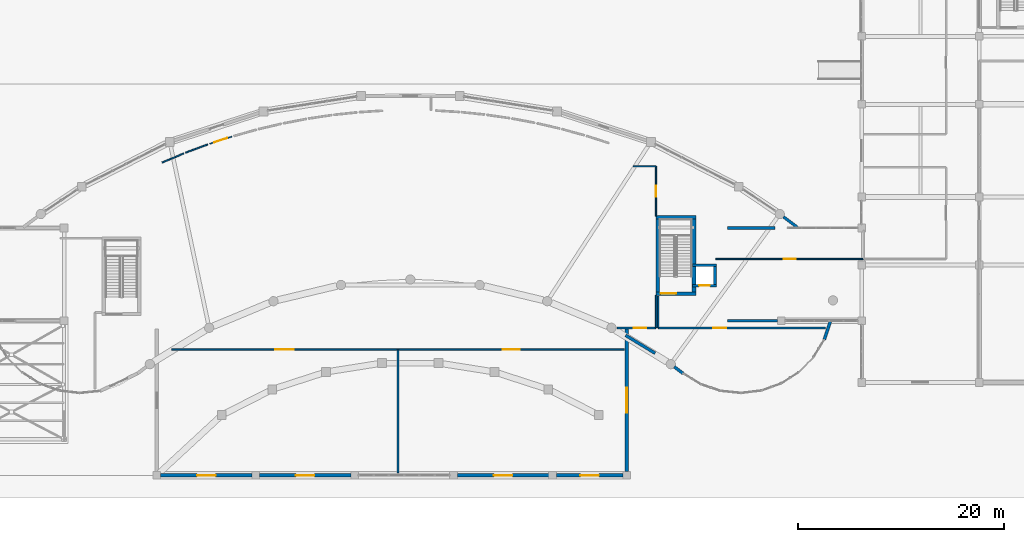
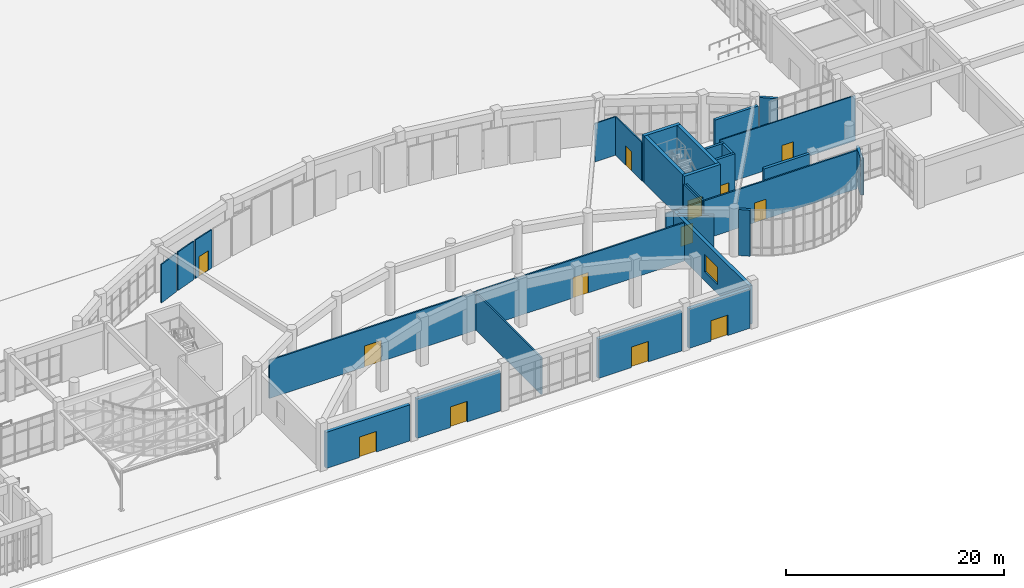
# One storey, part 51 of 70: 31 walls, 13 doors, 1 window, 14 openings.
"""IFC4 building model written with IfcOpenShell, lengths in metres."""

from ifc_helpers import new_model, si_unit, direction, frame, frame_2d, origin, place, context, subcontext, project, spatial, rectangle, extrude, material, layer, layer_set, type_object, element, fill, save


model = new_model("IFC4")

# Units and contexts
model_context = context("Model", 3, precision=1e-05, world=origin(), true_north=direction((0.0, 1.0)))
body_context = subcontext(model_context, "Body", "Model", "MODEL_VIEW")
ifc_project = project(units=[si_unit("LENGTHUNIT", "METRE"), si_unit("AREAUNIT", "SQUARE_METRE"), si_unit("VOLUMEUNIT", "CUBIC_METRE"), si_unit("PLANEANGLEUNIT", "RADIAN"), si_unit("MASSUNIT", "GRAM", prefix="KILO")], contexts=[model_context])

# Site, building, storey
site_placement = place(None, origin())
site = spatial("IfcSite", under=ifc_project, at=site_placement, CompositionType="ELEMENT")
building_placement = place(site_placement, origin())
building = spatial("IfcBuilding", under=site, at=building_placement, Name="Miralva Faculty of Natural Sciences", CompositionType="ELEMENT")
storey_placement = place(building_placement, origin())
storey = spatial("IfcBuildingStorey", under=building, at=storey_placement, Name="L00", CompositionType="ELEMENT", Elevation=0.0)

# Wall, opening, door
ifc_material_1 = material(Name="Concrete C50/60", Category="concrete")
ifc_layer_1 = layer(ifc_material_1, 0.35009765625, Name="WL-CW02")
ifc_layer_set_1 = layer_set([ifc_layer_1], Name="Concrete C50/60")
wall_type_1 = type_object("IfcWallType", Name="WL-CW02", PredefinedType="SHEAR", material=ifc_layer_set_1)
wall_1_placement = place(storey_placement, frame((113.85009765625, 20.625, 0.0), z_axis=(0.0, 0.0, 1.0), x_axis=(1.0, 0.0, 0.0)))
wall_1 = element("IfcWall", 1, at=wall_1_placement, inside=storey, type_object=wall_type_1, Name="Core C3 shear wall south L00", PredefinedType="SHEAR", context=body_context, shape_type="SweptSolid", body=[
    extrude(rectangle(XDim=3.849853515625, YDim=0.35009765625, at=frame_2d((1.9248046875, 0.0))), origin(), (0.0, 0.0, 1.0), 5.179931640625),
])
opening_1_placement = place(wall_1_placement, frame((0.449951171875, 0.0, 0.0)))
opening_1 = element("IfcOpeningElement", 2, at=opening_1_placement, cuts=wall_1, Name="Opening D-11", PredefinedType="OPENING", context=body_context, shape_type="SweptSolid", body=[
    extrude(rectangle(XDim=1.5, YDim=2.199951171875, at=frame_2d((0.75, 1.10009765625))), frame((0.0, 0.18505859375, 0.0), z_axis=(0.0, -1.0, 0.0), x_axis=(1.0, 0.0, 0.0)), (0.0, 0.0, 1.0), 0.3701171875),
])
ifc_material_2 = material(Name="Galvanised steel", Category="steel")
door_type_1 = type_object("IfcDoorType", Name="DR-DI11", OperationType="DOUBLE_DOOR_SINGLE_SWING", PredefinedType="DOOR", material=ifc_material_2)
door_1_placement = place(opening_1_placement, frame((1.5, 0.0, 0.0), z_axis=(0.0, 0.0, 1.0), x_axis=(-1.0, 0.0, 0.0)))
door_1 = element("IfcDoor", 3, at=door_1_placement, inside=storey, type_object=door_type_1, Name="Protected exit stair door Core C3 L00", OperationType="DOUBLE_DOOR_SINGLE_SWING", OverallHeight=2.199951171875, OverallWidth=1.5, PredefinedType="DOOR", context=body_context, shape_type="SweptSolid", body=[
    extrude(rectangle(XDim=1.5, YDim=2.199951171875, at=frame_2d((0.75, 1.10009765625))), frame((0.0, 0.02490234375, 0.0), z_axis=(0.0, -1.0, 0.0), x_axis=(1.0, 0.0, 0.0)), (0.0, 0.0, 1.0), 0.050048828125),
])
fill(opening_1, door_1)

# Walls
wall_2_placement = place(storey_placement, frame((113.85009765625, 28.02490234375, 0.0), z_axis=(0.0, 0.0, 1.0), x_axis=(1.0, 0.0, 0.0)))
element("IfcWall", 4, at=wall_2_placement, inside=storey, type_object=wall_type_1, Name="Core C3 shear wall north L00", PredefinedType="SHEAR", context=body_context, shape_type="SweptSolid", body=[
    extrude(rectangle(XDim=3.849853515625, YDim=0.35009765625, at=frame_2d((1.9248046875, 0.0))), origin(), (0.0, 0.0, 1.0), 5.179931640625),
])
for number, where, z_axis, x_axis, name in (
    (5, (114.02490234375, 20.800048828125, 0.0), (0.0, 0.0, 1.0), (0.0, 1.0, 0.0), "Core C3 shear wall west L00"),
    (6, (117.52490234375, 20.800048828125, 0.0), (0.0, 0.0, 1.0), (0.0, 1.0, 0.0), "Core C3 shear wall east L00"),
):
    element("IfcWall", number, at=place(storey_placement, frame(where, z_axis=z_axis, x_axis=x_axis)), inside=storey, type_object=wall_type_1, Name=name, PredefinedType="SHEAR", context=body_context, shape_type="SweptSolid", body=[
        extrude(rectangle(XDim=7.050048828125, YDim=0.35009765625, at=frame_2d((3.52490234375, 0.0))), origin(), (0.0, 0.0, 1.0), 5.179931640625),
    ])

# Wall, opening, door
ifc_material_3 = material(Name="Concrete C40/50", Category="concrete")
ifc_layer_2 = layer(ifc_material_3, 0.25, Name="WL-CW04")
ifc_layer_set_2 = layer_set([ifc_layer_2], Name="Concrete C40/50")
wall_type_2 = type_object("IfcWallType", Name="WL-CW04", PredefinedType="SHEAR", material=ifc_layer_set_2)
wall_3_placement = place(storey_placement, frame((117.405029296875, 21.405029296875, 0.0), z_axis=(0.0, 0.0, 1.0), x_axis=(1.0, 0.0, 0.0)))
wall_3 = element("IfcWall", 7, at=wall_3_placement, inside=storey, type_object=wall_type_2, Name="Lift L-05 hoistway front wall L00", PredefinedType="SHEAR", context=body_context, shape_type="SweptSolid", body=[
    extrude(rectangle(XDim=2.2900390625, YDim=0.25, at=frame_2d((1.14501953125, 0.0))), origin(), (0.0, 0.0, 1.0), 5.159912109375),
])
opening_2_placement = place(wall_3_placement, frame((0.6201171875, 0.0, 0.0)))
opening_2 = element("IfcOpeningElement", 8, at=opening_2_placement, cuts=wall_3, Name="Opening LD-03", PredefinedType="OPENING", context=body_context, shape_type="SweptSolid", body=[
    extrude(rectangle(XDim=1.050048828125, YDim=2.14990234375, at=frame_2d((0.52490234375, 1.074951171875))), frame((0.0, 0.135009765625, 0.0), z_axis=(0.0, -1.0, 0.0), x_axis=(1.0, 0.0, 0.0)), (0.0, 0.0, 1.0), 0.27001953125),
])
door_type_2 = type_object("IfcDoorType", Name="DR-LD03", OperationType="SLIDING_TO_RIGHT", PredefinedType="DOOR", material=ifc_material_2)
door_2_placement = place(opening_2_placement, frame((1.050048828125, 0.0, 0.0), z_axis=(0.0, 0.0, 1.0), x_axis=(-1.0, 0.0, 0.0)))
door_2 = element("IfcDoor", 9, at=door_2_placement, inside=storey, type_object=door_type_2, Name="Lift L-05 sliding landing door L00", OperationType="SLIDING_TO_RIGHT", OverallHeight=2.14990234375, OverallWidth=1.050048828125, PredefinedType="DOOR", context=body_context, shape_type="SweptSolid", body=[
    extrude(rectangle(XDim=1.050048828125, YDim=2.14990234375, at=frame_2d((0.52490234375, 1.074951171875))), frame((0.0, 0.02490234375, 0.0), z_axis=(0.0, -1.0, 0.0), x_axis=(1.0, 0.0, 0.0)), (0.0, 0.0, 1.0), 0.050048828125),
])
fill(opening_2, door_2)

# Walls
wall_4_placement = place(storey_placement, frame((117.405029296875, 23.39501953125, 0.0), z_axis=(0.0, 0.0, 1.0), x_axis=(1.0, 0.0, 0.0)))
element("IfcWall", 10, at=wall_4_placement, inside=storey, type_object=wall_type_2, Name="Lift L-05 hoistway rear wall L00", PredefinedType="SHEAR", context=body_context, shape_type="SweptSolid", body=[
    extrude(rectangle(XDim=2.2900390625, YDim=0.25, at=frame_2d((1.14501953125, 0.0))), origin(), (0.0, 0.0, 1.0), 5.159912109375),
])
wall_5_placement = place(storey_placement, frame((119.570068359375, 21.530029296875, 0.0), z_axis=(0.0, 0.0, 1.0), x_axis=(0.0, 1.0, 0.0)))
element("IfcWall", 11, at=wall_5_placement, inside=storey, type_object=wall_type_2, Name="Lift L-05 hoistway E wall L00", PredefinedType="SHEAR", context=body_context, shape_type="SweptSolid", body=[
    extrude(rectangle(XDim=1.739990234375, YDim=0.25, at=frame_2d((0.8701171875, 0.0))), origin(), (0.0, 0.0, 1.0), 5.159912109375),
])
ifc_material_4 = material(Name="Gypsum plasterboard")
ifc_layer_3 = layer(ifc_material_4, 0.159912109375, Name="WL-PT03")
ifc_layer_set_3 = layer_set([ifc_layer_3], Name="Gypsum plasterboard")
wall_type_3 = type_object("IfcWallType", Name="WL-PT03", PredefinedType="PARTITIONING", material=ifc_layer_set_3)
wall_6_placement = place(storey_placement, frame((88.800048828125, 3.22998046875, 0.0), z_axis=(0.0, 0.0, 1.0), x_axis=(0.0, 1.0, 0.0)))
element("IfcWall", 12, at=wall_6_placement, inside=storey, type_object=wall_type_3, Name="Interior partition PT-03 L00-64", PredefinedType="PARTITIONING", context=body_context, shape_type="SweptSolid", body=[
    extrude(rectangle(XDim=11.93994140625, YDim=0.159912109375, at=frame_2d((5.969970703125, 0.0))), origin(), (0.0, 0.0, 1.0), 4.155029296875),
])

# Wall, opening, door
wall_7_placement = place(storey_placement, frame((66.837646484375, 15.199951171875, 0.0), z_axis=(0.0, 0.0, 1.0), x_axis=(1.0, 0.0, 0.0)))
wall_7 = element("IfcWall", 13, at=wall_7_placement, inside=storey, type_object=wall_type_3, Name="Interior partition PT-03 L00-65", PredefinedType="PARTITIONING", context=body_context, shape_type="SweptSolid", body=[
    extrude(rectangle(XDim=21.932373046875, YDim=0.159912109375, at=frame_2d((10.96630859375, 0.0))), origin(), (0.0, 0.0, 1.0), 4.264892578125),
])
opening_3_placement = place(wall_7_placement, frame((10.066162109375, 0.0, 0.0)))
opening_3 = element("IfcOpeningElement", 14, at=opening_3_placement, cuts=wall_7, Name="Opening D-21", PredefinedType="OPENING", context=body_context, shape_type="SweptSolid", body=[
    extrude(rectangle(XDim=1.800048828125, YDim=2.35009765625, at=frame_2d((0.89990234375, 1.175048828125))), frame((0.0, 0.08984375, 0.0), z_axis=(0.0, -1.0, 0.0), x_axis=(1.0, 0.0, 0.0)), (0.0, 0.0, 1.0), 0.179931640625),
])
ifc_material_5 = material(Name="Acoustic mineral-fibre board")
door_type_3 = type_object("IfcDoorType", Name="DR-DI21", OperationType="DOUBLE_DOOR_SINGLE_SWING", PredefinedType="DOOR", material=ifc_material_5)
door_3_placement = place(opening_3_placement, origin())
door_3 = element("IfcDoor", 15, at=door_3_placement, inside=storey, type_object=door_type_3, Name="Interior door D-21 L00-28", OperationType="DOUBLE_DOOR_SINGLE_SWING", OverallHeight=2.35009765625, OverallWidth=1.800048828125, PredefinedType="DOOR", context=body_context, shape_type="SweptSolid", body=[
    extrude(rectangle(XDim=1.800048828125, YDim=2.35009765625, at=frame_2d((0.89990234375, 1.175048828125))), frame((0.0, 0.02490234375, 0.0), z_axis=(0.0, -1.0, 0.0), x_axis=(1.0, 0.0, 0.0)), (0.0, 0.0, 1.0), 0.050048828125),
])
fill(opening_3, door_3)

wall_8_placement = place(storey_placement, frame((88.830078125, 15.199951171875, 0.0), z_axis=(0.0, 0.0, 1.0), x_axis=(1.0, 0.0, 0.0)))
wall_8 = element("IfcWall", 16, at=wall_8_placement, inside=storey, type_object=wall_type_3, Name="Interior partition PT-03 L00-66", PredefinedType="PARTITIONING", context=body_context, shape_type="SweptSolid", body=[
    extrude(rectangle(XDim=21.93994140625, YDim=0.159912109375, at=frame_2d((10.969970703125, 0.0))), origin(), (0.0, 0.0, 1.0), 4.304931640625),
])
opening_4_placement = place(wall_8_placement, frame((10.14501953125, 0.0, 0.0)))
opening_4 = element("IfcOpeningElement", 17, at=opening_4_placement, cuts=wall_8, Name="Opening D-22", PredefinedType="OPENING", context=body_context, shape_type="SweptSolid", body=[
    extrude(rectangle(XDim=1.64990234375, YDim=2.300048828125, at=frame_2d((0.824951171875, 1.14990234375))), frame((0.0, 0.08984375, 0.0), z_axis=(0.0, -1.0, 0.0), x_axis=(1.0, 0.0, 0.0)), (0.0, 0.0, 1.0), 0.179931640625),
])
door_type_4 = type_object("IfcDoorType", Name="DR-DI22", OperationType="DOUBLE_DOOR_SINGLE_SWING", PredefinedType="DOOR", material=ifc_material_5)
door_4_placement = place(opening_4_placement, origin())
door_4 = element("IfcDoor", 18, at=door_4_placement, inside=storey, type_object=door_type_4, Name="Interior door D-22 L00-29", OperationType="DOUBLE_DOOR_SINGLE_SWING", OverallHeight=2.300048828125, OverallWidth=1.64990234375, PredefinedType="DOOR", context=body_context, shape_type="SweptSolid", body=[
    extrude(rectangle(XDim=1.64990234375, YDim=2.300048828125, at=frame_2d((0.824951171875, 1.14990234375))), frame((0.0, 0.02490234375, 0.0), z_axis=(0.0, -1.0, 0.0), x_axis=(1.0, 0.0, 0.0)), (0.0, 0.0, 1.0), 0.050048828125),
])
fill(opening_4, door_4)

wall_9_placement = place(storey_placement, frame((114.080078125, 17.300048828125, 0.0), z_axis=(0.0, 0.0, 1.0), x_axis=(1.0, 0.0, 0.0)))
wall_9 = element("IfcWall", 19, at=wall_9_placement, inside=storey, type_object=wall_type_3, Name="Interior partition PT-03 L00-70", PredefinedType="PARTITIONING", context=body_context, shape_type="SweptSolid", body=[
    extrude(rectangle(XDim=16.2080078125, YDim=0.159912109375, at=frame_2d((8.10400390625, 0.0))), origin(), (0.0, 0.0, 1.0), 4.304931640625),
])
opening_5_placement = place(wall_9_placement, frame((5.319091796875, 0.0, 0.0)))
opening_5 = element("IfcOpeningElement", 20, at=opening_5_placement, cuts=wall_9, Name="Opening D-23", PredefinedType="OPENING", context=body_context, shape_type="SweptSolid", body=[
    extrude(rectangle(XDim=1.25, YDim=2.199951171875, at=frame_2d((0.625, 1.10009765625))), frame((0.0, 0.08984375, 0.0), z_axis=(0.0, -1.0, 0.0), x_axis=(1.0, 0.0, 0.0)), (0.0, 0.0, 1.0), 0.179931640625),
])
ifc_material_6 = material(Name="Anodised aluminium", Category="aluminium")
door_type_5 = type_object("IfcDoorType", Name="DR-DI23", OperationType="NOTDEFINED", PredefinedType="DOOR", material=ifc_material_6)
door_5_placement = place(opening_5_placement, origin())
door_5 = element("IfcDoor", 21, at=door_5_placement, inside=storey, type_object=door_type_5, Name="Interior door D-23 L00-34", OperationType="SINGLE_SWING_LEFT", OverallHeight=2.199951171875, OverallWidth=1.25, PredefinedType="DOOR", context=body_context, shape_type="SweptSolid", body=[
    extrude(rectangle(XDim=1.25, YDim=2.199951171875, at=frame_2d((0.625, 1.10009765625))), frame((0.0, 0.02490234375, 0.0), z_axis=(0.0, -1.0, 0.0), x_axis=(1.0, 0.0, 0.0)), (0.0, 0.0, 1.0), 0.050048828125),
])
fill(opening_5, door_5)

# Walls
wall_10_placement = place(storey_placement, frame((114.050048828125, 17.330078125, 0.0), z_axis=(0.0, 0.0, 1.0), x_axis=(0.0, 1.0, 0.0)))
element("IfcWall", 22, at=wall_10_placement, inside=storey, type_object=wall_type_3, Name="Interior partition PT-03 L00-71", PredefinedType="PARTITIONING", context=body_context, shape_type="SweptSolid", body=[
    extrude(rectangle(XDim=3.06494140625, YDim=0.159912109375, at=frame_2d((1.532470703125, 0.0))), origin(), (0.0, 0.0, 1.0), 4.304931640625),
])
wall_11_placement = place(storey_placement, frame((113.85009765625, 17.330078125, 0.0), z_axis=(0.0, 0.0, 1.0), x_axis=(0.0, 1.0, 0.0)))
element("IfcWall", 23, at=wall_11_placement, inside=storey, type_object=wall_type_3, Name="Interior partition PT-03 L00-111", PredefinedType="PARTITIONING", context=body_context, shape_type="SweptSolid", body=[
    extrude(rectangle(XDim=3.168212890625, YDim=0.159912109375, at=frame_2d((1.583984375, 0.0))), origin(), (0.0, 0.0, 1.0), 4.304931640625),
])

# Wall, opening, door
wall_12_placement = place(storey_placement, frame((110.041015625, 17.300048828125, 0.0), z_axis=(0.0, 0.0, 1.0), x_axis=(1.0, 0.0, 0.0)))
wall_12 = element("IfcWall", 24, at=wall_12_placement, inside=storey, type_object=wall_type_3, Name="Interior partition PT-03 L00-112", PredefinedType="PARTITIONING", context=body_context, shape_type="SweptSolid", body=[
    extrude(rectangle(XDim=3.779052734375, YDim=0.159912109375, at=frame_2d((1.8896484375, 0.0))), origin(), (0.0, 0.0, 1.0), 4.304931640625),
])
opening_6_placement = place(wall_12_placement, frame((1.62451171875, 0.0, 0.0)))
opening_6 = element("IfcOpeningElement", 25, at=opening_6_placement, cuts=wall_12, Name="Opening D-23", PredefinedType="OPENING", context=body_context, shape_type="SweptSolid", body=[
    extrude(rectangle(XDim=1.25, YDim=2.199951171875, at=frame_2d((0.625, 1.10009765625))), frame((0.0, 0.08984375, 0.0), z_axis=(0.0, -1.0, 0.0), x_axis=(1.0, 0.0, 0.0)), (0.0, 0.0, 1.0), 0.179931640625),
])
door_6_placement = place(opening_6_placement, origin())
door_6 = element("IfcDoor", 26, at=door_6_placement, inside=storey, type_object=door_type_5, Name="Interior door D-23 L00-33", OperationType="SINGLE_SWING_RIGHT", OverallHeight=2.199951171875, OverallWidth=1.25, PredefinedType="DOOR", context=body_context, shape_type="SweptSolid", body=[
    extrude(rectangle(XDim=1.25, YDim=2.199951171875, at=frame_2d((0.625, 1.10009765625))), frame((0.0, 0.02490234375, 0.0), z_axis=(0.0, -1.0, 0.0), x_axis=(1.0, 0.0, 0.0)), (0.0, 0.0, 1.0), 0.050048828125),
])
fill(opening_6, door_6)

ifc_layer_4 = layer(ifc_material_4, 0.125, Name="WL-PT05")
ifc_layer_set_4 = layer_set([ifc_layer_4], Name="Gypsum plasterboard")
wall_type_4 = type_object("IfcWallType", Name="WL-PT05", PredefinedType="PARTITIONING", material=ifc_layer_set_4)
wall_13_placement = place(storey_placement, frame((119.64990234375, 24.0, 0.0), z_axis=(0.0, 0.0, 1.0), x_axis=(1.0, 0.0, 0.0)))
wall_13 = element("IfcWall", 27, at=wall_13_placement, inside=storey, type_object=wall_type_4, Name="Interior partition PT-05 L00-69", PredefinedType="PARTITIONING", context=body_context, shape_type="SweptSolid", body=[
    extrude(rectangle(XDim=14.320068359375, YDim=0.125, at=frame_2d((7.16015625, 0.0))), origin(), (0.0, 0.0, 1.0), 5.080078125),
])
opening_7_placement = place(wall_13_placement, frame((6.570068359375, 0.0, 0.0)))
opening_7 = element("IfcOpeningElement", 28, at=opening_7_placement, cuts=wall_13, Name="Opening D-34", PredefinedType="OPENING", context=body_context, shape_type="SweptSolid", body=[
    extrude(rectangle(XDim=1.179931640625, YDim=2.199951171875, at=frame_2d((0.58984375, 1.10009765625))), frame((0.0, 0.072509765625, 0.0), z_axis=(0.0, -1.0, 0.0), x_axis=(1.0, 0.0, 0.0)), (0.0, 0.0, 1.0), 0.14501953125),
])
door_type_6 = type_object("IfcDoorType", Name="DR-DI34", OperationType="NOTDEFINED", PredefinedType="DOOR", material=ifc_material_6)
door_7_placement = place(opening_7_placement, origin())
door_7 = element("IfcDoor", 29, at=door_7_placement, inside=storey, type_object=door_type_6, Name="Interior door D-34 L00-32", OperationType="SINGLE_SWING_LEFT", OverallHeight=2.199951171875, OverallWidth=1.179931640625, PredefinedType="DOOR", context=body_context, shape_type="SweptSolid", body=[
    extrude(rectangle(XDim=1.179931640625, YDim=2.199951171875, at=frame_2d((0.58984375, 1.10009765625))), frame((0.0, 0.02490234375, 0.0), z_axis=(0.0, -1.0, 0.0), x_axis=(1.0, 0.0, 0.0)), (0.0, 0.0, 1.0), 0.050048828125),
])
fill(opening_7, door_7)

# Walls
for number, where, z_axis, x_axis, name in (
    (30, (65.9169921875, 33.35205078125, 0.0), (0.0, 0.0, 1.0), (0.921787384168, 0.38769578072, 0.0), "Interior partition PT-05 L00-93"),
    (31, (68.203369140625, 34.30859375, 0.0), (0.0, 0.0, 1.0), (0.937158790468, 0.348903140497, 0.0), "Interior partition PT-05 L00-94"),
):
    element("IfcWall", number, at=place(storey_placement, frame(where, z_axis=z_axis, x_axis=x_axis)), inside=storey, type_object=wall_type_4, Name=name, PredefinedType="PARTITIONING", context=body_context, shape_type="SweptSolid", body=[
        extrude(rectangle(XDim=2.266357421875, YDim=0.125, at=frame_2d((1.13330078125, 0.0))), origin(), (0.0, 0.0, 1.0), 4.304931640625),
    ])

# Wall, opening, door
wall_14_placement = place(storey_placement, frame((70.52783203125, 35.169189453125, 0.0), z_axis=(0.0, 0.0, 1.0), x_axis=(0.950910506912, 0.309466004345, 0.0)))
wall_14 = element("IfcWall", 32, at=wall_14_placement, inside=storey, type_object=wall_type_4, Name="Interior partition PT-05 L00-95", PredefinedType="PARTITIONING", context=body_context, shape_type="SweptSolid", body=[
    extrude(rectangle(XDim=2.2666015625, YDim=0.125, at=frame_2d((1.13330078125, 0.0))), origin(), (0.0, 0.0, 1.0), 4.304931640625),
])
opening_8_placement = place(wall_14_placement, frame((0.483154296875, 0.0, 0.0)))
opening_8 = element("IfcOpeningElement", 33, at=opening_8_placement, cuts=wall_14, Name="Opening D-36", PredefinedType="OPENING", context=body_context, shape_type="SweptSolid", body=[
    extrude(rectangle(XDim=1.300048828125, YDim=2.199951171875, at=frame_2d((0.64990234375, 1.10009765625))), frame((0.0, 0.072509765625, 0.0), z_axis=(0.0, -1.0, 0.0), x_axis=(1.0, 0.0, 0.0)), (0.0, 0.0, 1.0), 0.14501953125),
])
door_type_7 = type_object("IfcDoorType", Name="DR-DI36", OperationType="NOTDEFINED", PredefinedType="DOOR", material=ifc_material_6)
door_8_placement = place(opening_8_placement, frame((1.300048828125, 0.0, 0.0), z_axis=(0.0, 0.0, 1.0), x_axis=(-1.0, 0.0, 0.0)))
door_8 = element("IfcDoor", 34, at=door_8_placement, inside=storey, type_object=door_type_7, Name="Interior door D-36 L00-30", OperationType="SINGLE_SWING_LEFT", OverallHeight=2.199951171875, OverallWidth=1.300048828125, PredefinedType="DOOR", context=body_context, shape_type="SweptSolid", body=[
    extrude(rectangle(XDim=1.300048828125, YDim=2.199951171875, at=frame_2d((0.64990234375, 1.10009765625))), frame((0.0, 0.02490234375, 0.0), z_axis=(0.0, -1.0, 0.0), x_axis=(1.0, 0.0, 0.0)), (0.0, 0.0, 1.0), 0.050048828125),
])
fill(opening_8, door_8)

# Wall
wall_15_placement = place(storey_placement, frame((111.626708984375, 33.0, 0.0), z_axis=(0.0, 0.0, 1.0), x_axis=(1.0, 0.0, 0.0)))
element("IfcWall", 35, at=wall_15_placement, inside=storey, type_object=wall_type_4, Name="Interior partition PT-05 L00-109", PredefinedType="PARTITIONING", context=body_context, shape_type="SweptSolid", body=[
    extrude(rectangle(XDim=2.193359375, YDim=0.125, at=frame_2d((1.0966796875, 0.0))), origin(), (0.0, 0.0, 1.0), 4.304931640625),
])

# Wall, opening, door
wall_16_placement = place(storey_placement, frame((113.85009765625, 28.151611328125, 0.0), z_axis=(0.0, 0.0, 1.0), x_axis=(0.0, 1.0, 0.0)))
wall_16 = element("IfcWall", 36, at=wall_16_placement, inside=storey, type_object=wall_type_4, Name="Interior partition PT-05 L00-110", PredefinedType="PARTITIONING", context=body_context, shape_type="SweptSolid", body=[
    extrude(rectangle(XDim=4.818359375, YDim=0.125, at=frame_2d((2.4091796875, 0.0))), origin(), (0.0, 0.0, 1.0), 4.304931640625),
])
opening_9_placement = place(wall_16_placement, frame((1.869140625, 0.0, 0.0)))
opening_9 = element("IfcOpeningElement", 37, at=opening_9_placement, cuts=wall_16, Name="Opening D-32", PredefinedType="OPENING", context=body_context, shape_type="SweptSolid", body=[
    extrude(rectangle(XDim=1.080078125, YDim=2.14990234375, at=frame_2d((0.5400390625, 1.074951171875))), frame((0.0, 0.072509765625, 0.0), z_axis=(0.0, -1.0, 0.0), x_axis=(1.0, 0.0, 0.0)), (0.0, 0.0, 1.0), 0.14501953125),
])
door_type_8 = type_object("IfcDoorType", Name="DR-DI32", OperationType="NOTDEFINED", PredefinedType="DOOR", material=ifc_material_6)
door_9_placement = place(opening_9_placement, origin())
door_9 = element("IfcDoor", 38, at=door_9_placement, inside=storey, type_object=door_type_8, Name="Interior door D-32 L00-31", OperationType="SINGLE_SWING_RIGHT", OverallHeight=2.14990234375, OverallWidth=1.080078125, PredefinedType="DOOR", context=body_context, shape_type="SweptSolid", body=[
    extrude(rectangle(XDim=1.080078125, YDim=2.14990234375, at=frame_2d((0.5400390625, 1.074951171875))), frame((0.0, 0.02490234375, 0.0), z_axis=(0.0, -1.0, 0.0), x_axis=(1.0, 0.0, 0.0)), (0.0, 0.0, 1.0), 0.050048828125),
])
fill(opening_9, door_9)

ifc_material_7 = material(Name="Volcanic tuff architectural stone", Category="masonry")
ifc_layer_5 = layer(ifc_material_7, 0.360107421875, Name="WL-WT01")
ifc_layer_set_5 = layer_set([ifc_layer_5], Name="Volcanic tuff architectural stone")
wall_type_5 = type_object("IfcWallType", Name="WL-WT01", PredefinedType="SOLIDWALL", material=ifc_layer_set_5)
wall_17_placement = place(storey_placement, frame((65.764892578125, 3.0, 0.0), z_axis=(0.0, 0.0, 1.0), x_axis=(1.0, 0.0, 0.0)))
wall_17 = element("IfcWall", 39, at=wall_17_placement, inside=storey, type_object=wall_type_5, Name="Exterior wall L00-53", PredefinedType="SOLIDWALL", context=body_context, shape_type="SweptSolid", body=[
    extrude(rectangle(XDim=8.8701171875, YDim=0.360107421875, at=frame_2d((4.43505859375, 0.0))), origin(), (0.0, 0.0, 1.0), 4.044921875),
])
opening_10_placement = place(wall_17_placement, frame((3.534912109375, 0.0, 0.0)))
opening_10 = element("IfcOpeningElement", 40, at=opening_10_placement, cuts=wall_17, Name="Opening D-03", PredefinedType="OPENING", context=body_context, shape_type="SweptSolid", body=[
    extrude(rectangle(XDim=1.800048828125, YDim=2.300048828125, at=frame_2d((0.89990234375, 1.14990234375))), frame((0.0, 0.18994140625, 0.0), z_axis=(0.0, -1.0, 0.0), x_axis=(1.0, 0.0, 0.0)), (0.0, 0.0, 1.0), 0.380126953125),
])
door_type_9 = type_object("IfcDoorType", Name="DR-DE03", OperationType="DOUBLE_DOOR_SINGLE_SWING", PredefinedType="DOOR", material=ifc_material_2)
door_10_placement = place(opening_10_placement, frame((1.800048828125, 0.0, 0.0), z_axis=(0.0, 0.0, 1.0), x_axis=(-1.0, 0.0, 0.0)))
door_10 = element("IfcDoor", 41, at=door_10_placement, inside=storey, type_object=door_type_9, Name="Exterior pedestrian exit door D-03 L00-5", OperationType="DOUBLE_DOOR_SINGLE_SWING", OverallHeight=2.300048828125, OverallWidth=1.800048828125, PredefinedType="DOOR", context=body_context, shape_type="SweptSolid", body=[
    extrude(rectangle(XDim=1.800048828125, YDim=2.300048828125, at=frame_2d((0.89990234375, 1.14990234375))), frame((0.0, 0.02490234375, 0.0), z_axis=(0.0, -1.0, 0.0), x_axis=(1.0, 0.0, 0.0)), (0.0, 0.0, 1.0), 0.050048828125),
])
fill(opening_10, door_10)

wall_18_placement = place(storey_placement, frame((75.364990234375, 3.0, 0.0), z_axis=(0.0, 0.0, 1.0), x_axis=(1.0, 0.0, 0.0)))
wall_18 = element("IfcWall", 42, at=wall_18_placement, inside=storey, type_object=wall_type_5, Name="Exterior wall L00-54", PredefinedType="SOLIDWALL", context=body_context, shape_type="SweptSolid", body=[
    extrude(rectangle(XDim=8.8701171875, YDim=0.360107421875, at=frame_2d((4.43505859375, 0.0))), origin(), (0.0, 0.0, 1.0), 4.4150390625),
])
opening_11_placement = place(wall_18_placement, frame((3.534912109375, 0.0, 0.0)))
opening_11 = element("IfcOpeningElement", 43, at=opening_11_placement, cuts=wall_18, Name="Opening D-03", PredefinedType="OPENING", context=body_context, shape_type="SweptSolid", body=[
    extrude(rectangle(XDim=1.800048828125, YDim=2.300048828125, at=frame_2d((0.89990234375, 1.14990234375))), frame((0.0, 0.18994140625, 0.0), z_axis=(0.0, -1.0, 0.0), x_axis=(1.0, 0.0, 0.0)), (0.0, 0.0, 1.0), 0.380126953125),
])
door_11_placement = place(opening_11_placement, frame((1.800048828125, 0.0, 0.0), z_axis=(0.0, 0.0, 1.0), x_axis=(-1.0, 0.0, 0.0)))
door_11 = element("IfcDoor", 44, at=door_11_placement, inside=storey, type_object=door_type_9, Name="Exterior pedestrian exit door D-03 L00-6", OperationType="DOUBLE_DOOR_SINGLE_SWING", OverallHeight=2.300048828125, OverallWidth=1.800048828125, PredefinedType="DOOR", context=body_context, shape_type="SweptSolid", body=[
    extrude(rectangle(XDim=1.800048828125, YDim=2.300048828125, at=frame_2d((0.89990234375, 1.14990234375))), frame((0.0, 0.02490234375, 0.0), z_axis=(0.0, -1.0, 0.0), x_axis=(1.0, 0.0, 0.0)), (0.0, 0.0, 1.0), 0.050048828125),
])
fill(opening_11, door_11)

wall_19_placement = place(storey_placement, frame((94.56494140625, 3.0, 0.0), z_axis=(0.0, 0.0, 1.0), x_axis=(1.0, 0.0, 0.0)))
wall_19 = element("IfcWall", 45, at=wall_19_placement, inside=storey, type_object=wall_type_5, Name="Exterior wall L00-55", PredefinedType="SOLIDWALL", context=body_context, shape_type="SweptSolid", body=[
    extrude(rectangle(XDim=8.8701171875, YDim=0.360107421875, at=frame_2d((4.43505859375, 0.0))), origin(), (0.0, 0.0, 1.0), 4.4150390625),
])
opening_12_placement = place(wall_19_placement, frame((3.534912109375, 0.0, 0.0)))
opening_12 = element("IfcOpeningElement", 46, at=opening_12_placement, cuts=wall_19, Name="Opening D-03", PredefinedType="OPENING", context=body_context, shape_type="SweptSolid", body=[
    extrude(rectangle(XDim=1.800048828125, YDim=2.300048828125, at=frame_2d((0.89990234375, 1.14990234375))), frame((0.0, 0.18994140625, 0.0), z_axis=(0.0, -1.0, 0.0), x_axis=(1.0, 0.0, 0.0)), (0.0, 0.0, 1.0), 0.380126953125),
])
door_12_placement = place(opening_12_placement, frame((1.800048828125, 0.0, 0.0), z_axis=(0.0, 0.0, 1.0), x_axis=(-1.0, 0.0, 0.0)))
door_12 = element("IfcDoor", 47, at=door_12_placement, inside=storey, type_object=door_type_9, Name="Exterior pedestrian exit door D-03 L00-7", OperationType="DOUBLE_DOOR_SINGLE_SWING", OverallHeight=2.300048828125, OverallWidth=1.800048828125, PredefinedType="DOOR", context=body_context, shape_type="SweptSolid", body=[
    extrude(rectangle(XDim=1.800048828125, YDim=2.300048828125, at=frame_2d((0.89990234375, 1.14990234375))), frame((0.0, 0.02490234375, 0.0), z_axis=(0.0, -1.0, 0.0), x_axis=(1.0, 0.0, 0.0)), (0.0, 0.0, 1.0), 0.050048828125),
])
fill(opening_12, door_12)

wall_20_placement = place(storey_placement, frame((104.1650390625, 3.0, 0.0), z_axis=(0.0, 0.0, 1.0), x_axis=(1.0, 0.0, 0.0)))
wall_20 = element("IfcWall", 48, at=wall_20_placement, inside=storey, type_object=wall_type_5, Name="Exterior wall L00-56", PredefinedType="SOLIDWALL", context=body_context, shape_type="SweptSolid", body=[
    extrude(rectangle(XDim=6.469970703125, YDim=0.360107421875, at=frame_2d((3.23486328125, 0.0))), origin(), (0.0, 0.0, 1.0), 4.4150390625),
])
opening_13_placement = place(wall_20_placement, frame((2.3349609375, 0.0, 0.0)))
opening_13 = element("IfcOpeningElement", 49, at=opening_13_placement, cuts=wall_20, Name="Opening D-03", PredefinedType="OPENING", context=body_context, shape_type="SweptSolid", body=[
    extrude(rectangle(XDim=1.800048828125, YDim=2.300048828125, at=frame_2d((0.89990234375, 1.14990234375))), frame((0.0, 0.18994140625, 0.0), z_axis=(0.0, -1.0, 0.0), x_axis=(1.0, 0.0, 0.0)), (0.0, 0.0, 1.0), 0.380126953125),
])
door_13_placement = place(opening_13_placement, frame((1.800048828125, 0.0, 0.0), z_axis=(0.0, 0.0, 1.0), x_axis=(-1.0, 0.0, 0.0)))
door_13 = element("IfcDoor", 50, at=door_13_placement, inside=storey, type_object=door_type_9, Name="Exterior pedestrian exit door D-03 L00-8", OperationType="DOUBLE_DOOR_SINGLE_SWING", OverallHeight=2.300048828125, OverallWidth=1.800048828125, PredefinedType="DOOR", context=body_context, shape_type="SweptSolid", body=[
    extrude(rectangle(XDim=1.800048828125, YDim=2.300048828125, at=frame_2d((0.89990234375, 1.14990234375))), frame((0.0, 0.02490234375, 0.0), z_axis=(0.0, -1.0, 0.0), x_axis=(1.0, 0.0, 0.0)), (0.0, 0.0, 1.0), 0.050048828125),
])
fill(opening_13, door_13)

# Wall, opening, window
wall_21_placement = place(storey_placement, frame((111.0, 3.364990234375, 0.0), z_axis=(0.0, 0.0, 1.0), x_axis=(0.0, 1.0, 0.0)))
wall_21 = element("IfcWall", 51, at=wall_21_placement, inside=storey, type_object=wall_type_5, Name="Exterior wall L00-58", PredefinedType="SOLIDWALL", context=body_context, shape_type="SweptSolid", body=[
    extrude(rectangle(XDim=13.8349609375, YDim=0.360107421875, at=frame_2d((6.91748046875, 0.0))), origin(), (0.0, 0.0, 1.0), 4.304931640625),
])
opening_14_placement = place(wall_21_placement, frame((5.717529296875, 0.0, 1.0)))
opening_14 = element("IfcOpeningElement", 52, at=opening_14_placement, cuts=wall_21, Name="Opening W-07", PredefinedType="OPENING", context=body_context, shape_type="SweptSolid", body=[
    extrude(rectangle(XDim=2.39990234375, YDim=1.949951171875, at=frame_2d((1.199951171875, 0.97509765625))), frame((0.0, 0.18994140625, 0.0), z_axis=(0.0, -1.0, 0.0), x_axis=(1.0, 0.0, 0.0)), (0.0, 0.0, 1.0), 0.380126953125),
])
ifc_material_8 = material(Name="Laminated solar-control glass", Category="glass")
window_type = type_object("IfcWindowType", Name="WN-W07", PartitioningType="DOUBLE_PANEL_VERTICAL", PredefinedType="WINDOW", material=ifc_material_8)
window_placement = place(opening_14_placement, frame((2.39990234375, 0.0, 0.0), z_axis=(0.0, 0.0, 1.0), x_axis=(-1.0, 0.0, 0.0)))
window = element("IfcWindow", 53, at=window_placement, inside=storey, type_object=window_type, Name="Window W-07 L00-7", OverallHeight=1.949951171875, OverallWidth=2.39990234375, PartitioningType="DOUBLE_PANEL_VERTICAL", PredefinedType="WINDOW", context=body_context, shape_type="SweptSolid", body=[
    extrude(rectangle(XDim=2.39990234375, YDim=1.949951171875, at=frame_2d((1.199951171875, 0.97509765625))), frame((0.0, 0.030029296875, 0.0), z_axis=(0.0, -1.0, 0.0), x_axis=(1.0, 0.0, 0.0)), (0.0, 0.0, 1.0), 0.06005859375),
])
fill(opening_14, window)

# Walls
ifc_material_9 = material(Name="Precast concrete C40/50", Category="concrete")
ifc_layer_6 = layer(ifc_material_9, 0.2900390625, Name="WL-WT03")
ifc_layer_set_6 = layer_set([ifc_layer_6], Name="Precast concrete C40/50")
wall_type_6 = type_object("IfcWallType", Name="WL-WT03", PredefinedType="SOLIDWALL", material=ifc_layer_set_6)
wall_22_placement = place(storey_placement, frame((110.885498046875, 16.587158203125, 0.0), z_axis=(0.0, 0.0, 1.0), x_axis=(0.85452447533, -0.519411129128, 0.0)))
element("IfcWall", 54, at=wall_22_placement, inside=storey, type_object=wall_type_6, Name="Exterior wall L00-14", PredefinedType="SOLIDWALL", context=body_context, shape_type="SweptSolid", body=[
    extrude(rectangle(XDim=3.354248046875, YDim=0.2900390625, at=frame_2d((1.67724609375, 0.0))), origin(), (0.0, 0.0, 1.0), 4.304931640625),
])
wall_23_placement = place(storey_placement, frame((115.6142578125, 13.531982421875, 0.0), z_axis=(0.0, 0.0, 1.0), x_axis=(0.798608971494, -0.601850239387, 0.0)))
element("IfcWall", 55, at=wall_23_placement, inside=storey, type_object=wall_type_6, Name="Exterior wall L00-15", PredefinedType="SOLIDWALL", context=body_context, shape_type="SweptSolid", body=[
    extrude(rectangle(XDim=1.07568359375, YDim=0.2900390625, at=frame_2d((0.537841796875, 0.0))), origin(), (0.0, 0.0, 1.0), 5.14990234375),
])
wall_24_placement = place(storey_placement, frame((130.16162109375, 16.152587890625, 0.0), z_axis=(0.0, 0.0, 1.0), x_axis=(0.320875386213, 0.947121421214, 0.0)))
element("IfcWall", 56, at=wall_24_placement, inside=storey, type_object=wall_type_6, Name="Exterior wall L00-23", PredefinedType="SOLIDWALL", context=body_context, shape_type="SweptSolid", body=[
    extrude(rectangle(XDim=2.015625, YDim=0.2900390625, at=frame_2d((1.0078125, 0.0))), origin(), (0.0, 0.0, 1.0), 4.135009765625),
])
wall_25_placement = place(storey_placement, frame((120.800048828125, 18.0, 0.0), z_axis=(0.0, 0.0, 1.0), x_axis=(1.0, 0.0, 0.0)))
element("IfcWall", 57, at=wall_25_placement, inside=storey, type_object=wall_type_6, Name="Exterior wall L00-352", PredefinedType="SOLIDWALL", context=body_context, shape_type="SweptSolid", body=[
    extrude(rectangle(XDim=4.8349609375, YDim=0.2900390625, at=frame_2d((2.41748046875, 0.0))), origin(), (0.0, 0.0, 1.0), 5.14990234375),
])
wall_26_placement = place(storey_placement, frame((120.800048828125, 27.0, 0.0), z_axis=(0.0, 0.0, 1.0), x_axis=(1.0, 0.0, 0.0)))
element("IfcWall", 58, at=wall_26_placement, inside=storey, type_object=wall_type_6, Name="Exterior wall L00-354", PredefinedType="SOLIDWALL", context=body_context, shape_type="SweptSolid", body=[
    extrude(rectangle(XDim=4.579833984375, YDim=0.2900390625, at=frame_2d((2.2900390625, 0.0))), origin(), (0.0, 0.0, 1.0), 5.14990234375),
])
ifc_layer_7 = layer(ifc_material_7, 0.27001953125, Name="WL-WT04")
ifc_layer_set_7 = layer_set([ifc_layer_7], Name="Volcanic tuff architectural stone")
wall_type_7 = type_object("IfcWallType", Name="WL-WT04", PredefinedType="SOLIDWALL", material=ifc_layer_set_7)
wall_27_placement = place(storey_placement, frame((126.210205078125, 28.082275390625, 0.0), z_axis=(0.0, 0.0, 1.0), x_axis=(0.798641279354, -0.601807366947, 0.0)))
element("IfcWall", 59, at=wall_27_placement, inside=storey, type_object=wall_type_7, Name="Exterior wall L00-20", PredefinedType="SOLIDWALL", context=body_context, shape_type="SweptSolid", body=[
    extrude(rectangle(XDim=1.684326171875, YDim=0.27001953125, at=frame_2d((0.84228515625, 0.0))), origin(), (0.0, 0.0, 1.0), 5.14990234375),
])

save(model, "model.ifc")
